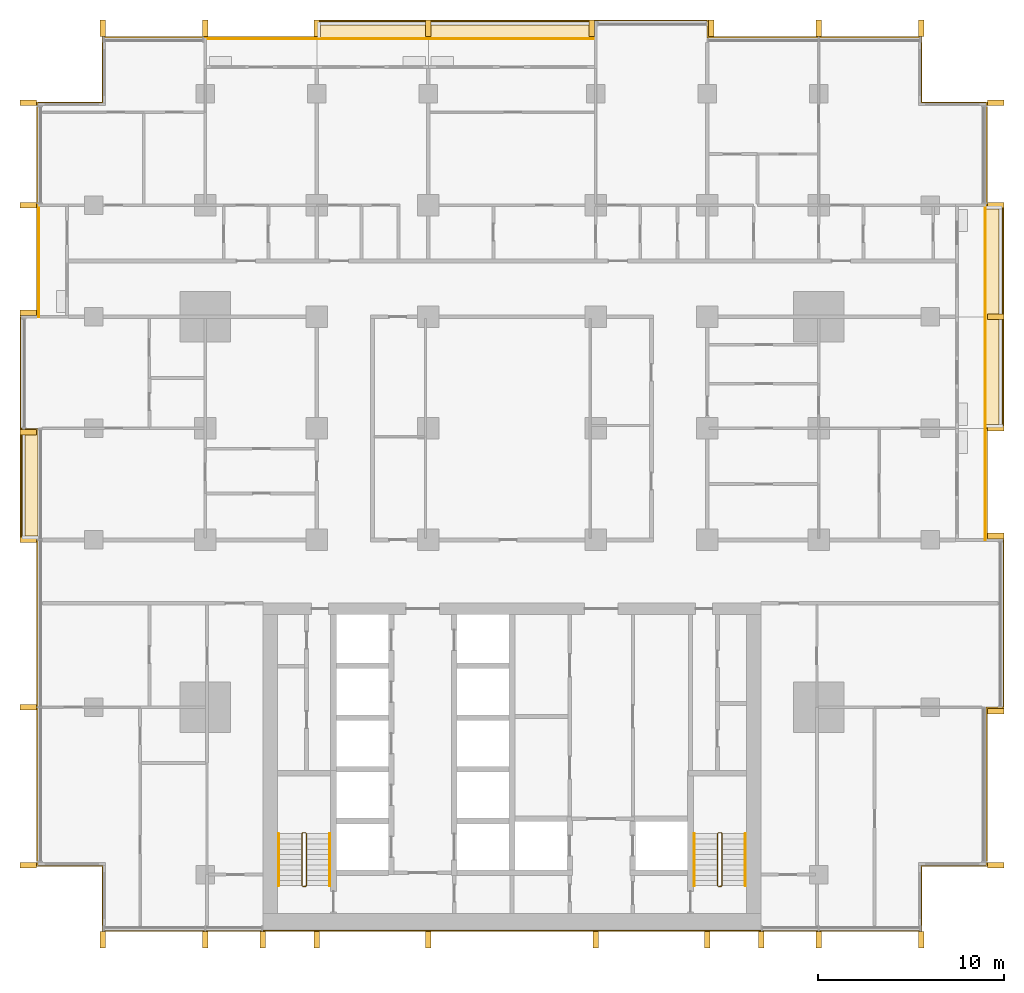
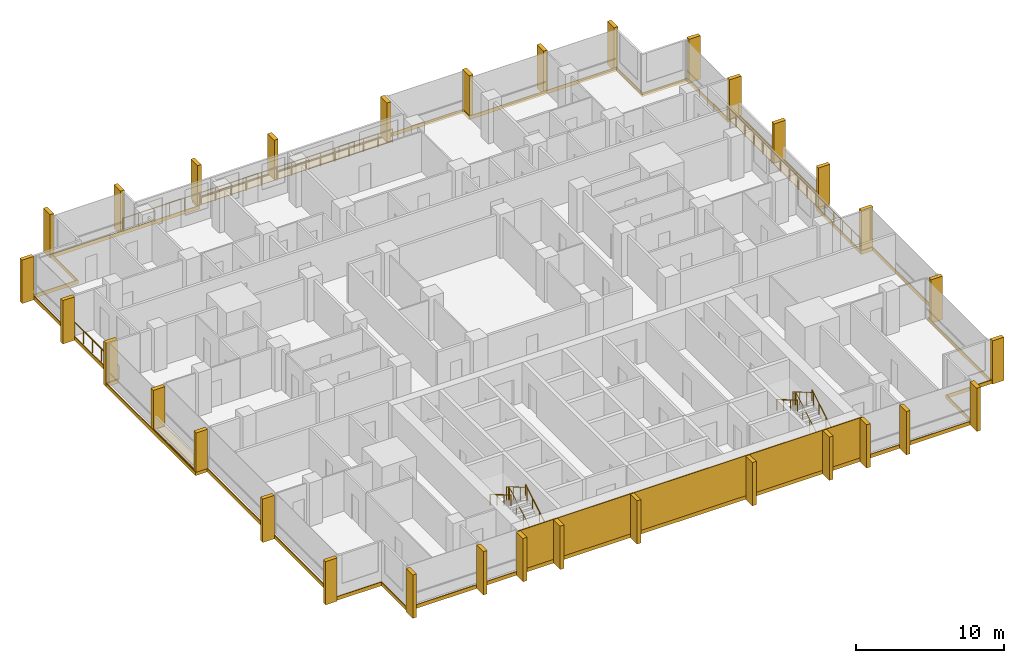
# One storey, part 18 of 18: 32 shading devices, 13 railings, 10 coverings.
"""IFC4 building model written with IfcOpenShell, lengths in metres."""

from ifc_helpers import new_model, si_unit, direction, frame, origin, origin_2d, place, context, subcontext, project, spatial, polyline, rectangle, circle, outline, extrude, material, layer, layer_set, type_object, element, save


model = new_model("IFC4")

# Units and contexts
model_context = context("Model", 3, precision=1e-05, world=origin(), true_north=direction((0.0, 1.0)))
body_context = subcontext(model_context, "Body", "Model", "MODEL_VIEW")
ifc_project = project(units=[si_unit("LENGTHUNIT", "METRE"), si_unit("AREAUNIT", "SQUARE_METRE"), si_unit("VOLUMEUNIT", "CUBIC_METRE"), si_unit("PLANEANGLEUNIT", "RADIAN"), si_unit("MASSUNIT", "GRAM", prefix="KILO")], contexts=[model_context])

# Site, building, storey
site_placement = place(None, origin())
site = spatial("IfcSite", under=ifc_project, at=site_placement, CompositionType="ELEMENT")
building_placement = place(site_placement, origin())
building = spatial("IfcBuilding", under=site, at=building_placement, Name="Finial Court Residences", CompositionType="ELEMENT")
storey_placement = place(building_placement, frame((0.0, 0.0, 109.89990234375)))
storey = spatial("IfcBuildingStorey", under=building, at=storey_placement, Name="L27", CompositionType="ELEMENT", Elevation=109.89990234375)

# Railings
ifc_material_1 = material(Name="Bronze anodised aluminium", Category="aluminium")
railing_type_1 = type_object("IfcRailingType", Name="Balcony guard 1100", PredefinedType="GUARDRAIL", material=ifc_material_1)
for number, where, name in (
    (1, (-16.5, 22.449951171875, 0.0), "E-L27-BALN2-R"),
    (2, (-10.5, 22.449951171875, 0.0), "E-L27-BALN3-R"),
):
    element("IfcRailing", number, at=place(storey_placement, frame(where)), inside=storey, type_object=railing_type_1, Name=name, PredefinedType="GUARDRAIL", context=body_context, shape_type="SweptSolid", body=[
        extrude(circle(Radius=0.02392578125, at=origin_2d()), frame((0.0, 0.0, 1.076171875), z_axis=(1.0, 0.0, 0.0), x_axis=(0.0, 1.0, 0.0)), (0.0, 0.0, 1.0), 6.0),
        extrude(circle(Radius=0.02099609375, at=origin_2d()), origin(), (0.0, 0.0, 1.0), 1.052001953125),
        extrude(circle(Radius=0.02099609375, at=origin_2d()), frame((1.199951171875, 0.0, 0.0)), (0.0, 0.0, 1.0), 1.052001953125),
        extrude(circle(Radius=0.02099609375, at=origin_2d()), frame((2.39990234375, 0.0, 0.0)), (0.0, 0.0, 1.0), 1.052001953125),
        extrude(circle(Radius=0.02099609375, at=origin_2d()), frame((3.60009765625, 0.0, 0.0)), (0.0, 0.0, 1.0), 1.052001953125),
        extrude(circle(Radius=0.02099609375, at=origin_2d()), frame((4.800048828125, 0.0, 0.0)), (0.0, 0.0, 1.0), 1.052001953125),
        extrude(circle(Radius=0.02099609375, at=origin_2d()), frame((6.0, 0.0, 0.0)), (0.0, 0.0, 1.0), 1.052001953125),
    ])
railing_1_placement = place(storey_placement, frame((-4.5, 22.449951171875, 0.0)))
element("IfcRailing", 3, at=railing_1_placement, inside=storey, type_object=railing_type_1, Name="E-L27-BALN4-R", PredefinedType="GUARDRAIL", context=body_context, shape_type="SweptSolid", body=[
    extrude(circle(Radius=0.02392578125, at=origin_2d()), frame((0.0, 0.0, 1.076171875), z_axis=(1.0, 0.0, 0.0), x_axis=(0.0, 1.0, 0.0)), (0.0, 0.0, 1.0), 9.0),
    extrude(circle(Radius=0.02099609375, at=origin_2d()), origin(), (0.0, 0.0, 1.0), 1.052001953125),
    extrude(circle(Radius=0.02099609375, at=origin_2d()), frame((1.125, 0.0, 0.0)), (0.0, 0.0, 1.0), 1.052001953125),
    extrude(circle(Radius=0.02099609375, at=origin_2d()), frame((2.25, 0.0, 0.0)), (0.0, 0.0, 1.0), 1.052001953125),
    extrude(circle(Radius=0.02099609375, at=origin_2d()), frame((3.375, 0.0, 0.0)), (0.0, 0.0, 1.0), 1.052001953125),
    extrude(circle(Radius=0.02099609375, at=origin_2d()), frame((4.5, 0.0, 0.0)), (0.0, 0.0, 1.0), 1.052001953125),
    extrude(circle(Radius=0.02099609375, at=origin_2d()), frame((5.625, 0.0, 0.0)), (0.0, 0.0, 1.0), 1.052001953125),
    extrude(circle(Radius=0.02099609375, at=origin_2d()), frame((6.75, 0.0, 0.0)), (0.0, 0.0, 1.0), 1.052001953125),
    extrude(circle(Radius=0.02099609375, at=origin_2d()), frame((7.875, 0.0, 0.0)), (0.0, 0.0, 1.0), 1.052001953125),
    extrude(circle(Radius=0.02099609375, at=origin_2d()), frame((9.0, 0.0, 0.0)), (0.0, 0.0, 1.0), 1.052001953125),
])
for number, where, name in (
    (4, (25.449951171875, -4.5, 0.0), "E-L27-BALE3-R"),
    (5, (25.449951171875, 1.5, 0.0), "E-L27-BALE4-R"),
    (6, (25.449951171875, 7.5, 0.0), "E-L27-BALE5-R"),
    (7, (-25.449951171875, 7.5, 0.0), "E-L27-BALW5-R"),
):
    element("IfcRailing", number, at=place(storey_placement, frame(where)), inside=storey, type_object=railing_type_1, Name=name, PredefinedType="GUARDRAIL", context=body_context, shape_type="SweptSolid", body=[
        extrude(circle(Radius=0.02392578125, at=origin_2d()), frame((0.0, 0.0, 1.076171875), z_axis=(0.0, 1.0, 0.0), x_axis=(-1.0, 0.0, 0.0)), (0.0, 0.0, 1.0), 6.0),
        extrude(circle(Radius=0.02099609375, at=origin_2d()), origin(), (0.0, 0.0, 1.0), 1.052001953125),
        extrude(circle(Radius=0.02099609375, at=origin_2d()), frame((0.0, 1.199951171875, 0.0)), (0.0, 0.0, 1.0), 1.052001953125),
        extrude(circle(Radius=0.02099609375, at=origin_2d()), frame((0.0, 2.39990234375, 0.0)), (0.0, 0.0, 1.0), 1.052001953125),
        extrude(circle(Radius=0.02099609375, at=origin_2d()), frame((0.0, 3.60009765625, 0.0)), (0.0, 0.0, 1.0), 1.052001953125),
        extrude(circle(Radius=0.02099609375, at=origin_2d()), frame((0.0, 4.800048828125, 0.0)), (0.0, 0.0, 1.0), 1.052001953125),
        extrude(circle(Radius=0.02099609375, at=origin_2d()), frame((0.0, 6.0, 0.0)), (0.0, 0.0, 1.0), 1.052001953125),
    ])

# Coverings
ifc_material_2 = material(Name="Natural limestone", Category="masonry")
ifc_layer_1 = layer(ifc_material_2, 0.06005859375)
ifc_layer_set_1 = layer_set([ifc_layer_1], Name="Limestone cladding to the blind core face 60")
covering_type_1 = type_object("IfcCoveringType", Name="Limestone cladding to the blind core face 60", PredefinedType="CLADDING", material=ifc_layer_set_1)
covering_1_placement = place(storey_placement, origin())
element("IfcCovering", 8, at=covering_1_placement, inside=storey, type_object=covering_type_1, Name="E-L27-CLAD1", PredefinedType="CLADDING", context=body_context, shape_type="SweptSolid", body=[
    extrude(outline(polyline([(-10.5, -25.56005859375), (-10.5, -25.5), (-13.39990234375, -25.5), (-13.39990234375, -25.56005859375), (-10.5, -25.56005859375)])), origin(), (0.0, 0.0, 1.0), 3.300048828125),
])
covering_2_placement = place(storey_placement, origin())
element("IfcCovering", 9, at=covering_2_placement, inside=storey, type_object=covering_type_1, Name="E-L27-CLAD2", PredefinedType="CLADDING", context=body_context, shape_type="SweptSolid", body=[
    extrude(outline(polyline([(-4.5, -25.56005859375), (-4.5, -25.5), (-10.5, -25.5), (-10.5, -25.56005859375), (-4.5, -25.56005859375)])), origin(), (0.0, 0.0, 1.0), 3.300048828125),
])
covering_3_placement = place(storey_placement, origin())
element("IfcCovering", 10, at=covering_3_placement, inside=storey, type_object=covering_type_1, Name="E-L27-CLAD3", PredefinedType="CLADDING", context=body_context, shape_type="SweptSolid", body=[
    extrude(outline(polyline([(4.5, -25.56005859375), (4.5, -25.5), (-4.5, -25.5), (-4.5, -25.56005859375), (4.5, -25.56005859375)])), origin(), (0.0, 0.0, 1.0), 3.300048828125),
])
covering_4_placement = place(storey_placement, origin())
element("IfcCovering", 11, at=covering_4_placement, inside=storey, type_object=covering_type_1, Name="E-L27-CLAD4", PredefinedType="CLADDING", context=body_context, shape_type="SweptSolid", body=[
    extrude(outline(polyline([(10.5, -25.56005859375), (10.5, -25.5), (4.5, -25.5), (4.5, -25.56005859375), (10.5, -25.56005859375)])), origin(), (0.0, 0.0, 1.0), 3.300048828125),
])
covering_5_placement = place(storey_placement, origin())
element("IfcCovering", 12, at=covering_5_placement, inside=storey, type_object=covering_type_1, Name="E-L27-CLAD5", PredefinedType="CLADDING", context=body_context, shape_type="SweptSolid", body=[
    extrude(outline(polyline([(13.39990234375, -25.56005859375), (13.39990234375, -25.5), (10.5, -25.5), (10.5, -25.56005859375), (13.39990234375, -25.56005859375)])), origin(), (0.0, 0.0, 1.0), 3.300048828125),
])

# Shading devices
shading_device_type = type_object("IfcShadingDeviceType", Name="Limestone fin 300 x 900", PredefinedType="USERDEFINED", material=ifc_material_2)
for number, where, z_axis, x_axis, name in (
    (13, (-22.0, 23.010009765625, -0.300048828125), (0.0, 0.0, 1.0), (1.0, 0.0, 0.0), "E-L27-FIN-N1"),
    (14, (-16.5, 23.010009765625, -0.300048828125), (0.0, 0.0, 1.0), (1.0, 0.0, 0.0), "E-L27-FIN-N2"),
):
    element("IfcShadingDevice", number, at=place(storey_placement, frame(where, z_axis=z_axis, x_axis=x_axis)), inside=storey, type_object=shading_device_type, Name=name, ObjectType="FIN", PredefinedType="USERDEFINED", context=body_context, shape_type="SweptSolid", body=[
        extrude(rectangle(XDim=0.300048828125, YDim=0.89990234375, at=origin_2d()), origin(), (0.0, 0.0, 1.0), 3.580078125),
    ])
for number, where, z_axis, x_axis, name in (
    (15, (-10.5, 23.010009765625, 0.0400390625), (0.0, 0.0, 1.0), (1.0, 0.0, 0.0), "E-L27-FIN-N3"),
    (16, (-4.5, 23.010009765625, 0.0400390625), (0.0, 0.0, 1.0), (1.0, 0.0, 0.0), "E-L27-FIN-N4"),
    (17, (4.2900390625, 23.010009765625, 0.0400390625), (0.0, 0.0, 1.0), (1.0, 0.0, 0.0), "E-L27-FIN-N5"),
):
    element("IfcShadingDevice", number, at=place(storey_placement, frame(where, z_axis=z_axis, x_axis=x_axis)), inside=storey, type_object=shading_device_type, Name=name, ObjectType="FIN", PredefinedType="USERDEFINED", context=body_context, shape_type="SweptSolid", body=[
        extrude(rectangle(XDim=0.300048828125, YDim=0.89990234375, at=origin_2d()), origin(), (0.0, 0.0, 1.0), 3.239990234375),
    ])
for number, where, z_axis, x_axis, name in (
    (18, (10.7099609375, 23.010009765625, -0.300048828125), (0.0, 0.0, 1.0), (1.0, 0.0, 0.0), "E-L27-FIN-N6"),
    (19, (16.5, 23.010009765625, -0.300048828125), (0.0, 0.0, 1.0), (1.0, 0.0, 0.0), "E-L27-FIN-N7"),
    (20, (22.0, 23.010009765625, -0.300048828125), (0.0, 0.0, 1.0), (1.0, 0.0, 0.0), "E-L27-FIN-N8"),
):
    element("IfcShadingDevice", number, at=place(storey_placement, frame(where, z_axis=z_axis, x_axis=x_axis)), inside=storey, type_object=shading_device_type, Name=name, ObjectType="FIN", PredefinedType="USERDEFINED", context=body_context, shape_type="SweptSolid", body=[
        extrude(rectangle(XDim=0.300048828125, YDim=0.89990234375, at=origin_2d()), origin(), (0.0, 0.0, 1.0), 3.580078125),
    ])
for number, where, z_axis, x_axis, name in (
    (21, (26.010009765625, -22.0, -0.300048828125), (0.0, 0.0, 1.0), (1.0, 0.0, 0.0), "E-L27-FIN-E9"),
    (22, (26.010009765625, -13.7099609375, -0.300048828125), (0.0, 0.0, 1.0), (1.0, 0.0, 0.0), "E-L27-FIN-E10"),
    (23, (26.010009765625, -4.2900390625, -0.300048828125), (0.0, 0.0, 1.0), (1.0, 0.0, 0.0), "E-L27-FIN-E11"),
):
    element("IfcShadingDevice", number, at=place(storey_placement, frame(where, z_axis=z_axis, x_axis=x_axis)), inside=storey, type_object=shading_device_type, Name=name, ObjectType="FIN", PredefinedType="USERDEFINED", context=body_context, shape_type="SweptSolid", body=[
        extrude(rectangle(XDim=0.89990234375, YDim=0.300048828125, at=origin_2d()), origin(), (0.0, 0.0, 1.0), 3.580078125),
    ])
for number, where, z_axis, x_axis, name in (
    (24, (26.010009765625, 1.5, 0.0400390625), (0.0, 0.0, 1.0), (1.0, 0.0, 0.0), "E-L27-FIN-E12"),
    (25, (26.010009765625, 7.5, 0.0400390625), (0.0, 0.0, 1.0), (1.0, 0.0, 0.0), "E-L27-FIN-E13"),
    (26, (26.010009765625, 13.5, 0.0400390625), (0.0, 0.0, 1.0), (1.0, 0.0, 0.0), "E-L27-FIN-E14"),
):
    element("IfcShadingDevice", number, at=place(storey_placement, frame(where, z_axis=z_axis, x_axis=x_axis)), inside=storey, type_object=shading_device_type, Name=name, ObjectType="FIN", PredefinedType="USERDEFINED", context=body_context, shape_type="SweptSolid", body=[
        extrude(rectangle(XDim=0.89990234375, YDim=0.300048828125, at=origin_2d()), origin(), (0.0, 0.0, 1.0), 3.239990234375),
    ])
shading_device_placement = place(storey_placement, frame((26.010009765625, 19.0, -0.300048828125), z_axis=(0.0, 0.0, 1.0), x_axis=(1.0, 0.0, 0.0)))
element("IfcShadingDevice", 27, at=shading_device_placement, inside=storey, type_object=shading_device_type, Name="E-L27-FIN-E15", ObjectType="FIN", PredefinedType="USERDEFINED", context=body_context, shape_type="SweptSolid", body=[
    extrude(rectangle(XDim=0.89990234375, YDim=0.300048828125, at=origin_2d()), origin(), (0.0, 0.0, 1.0), 3.580078125),
])
for number, where, z_axis, x_axis, name in (
    (28, (-22.0, -26.010009765625, -0.300048828125), (0.0, 0.0, 1.0), (1.0, 0.0, 0.0), "E-L27-FIN-S16"),
    (29, (-16.5, -26.010009765625, -0.300048828125), (0.0, 0.0, 1.0), (1.0, 0.0, 0.0), "E-L27-FIN-S17"),
    (30, (-13.39990234375, -26.010009765625, -0.300048828125), (0.0, 0.0, 1.0), (1.0, 0.0, 0.0), "E-L27-FIN-S18"),
    (31, (-10.5, -26.010009765625, -0.300048828125), (0.0, 0.0, 1.0), (1.0, 0.0, 0.0), "E-L27-FIN-S19"),
    (32, (-4.5, -26.010009765625, -0.300048828125), (0.0, 0.0, 1.0), (1.0, 0.0, 0.0), "E-L27-FIN-S20"),
    (33, (4.5, -26.010009765625, -0.300048828125), (0.0, 0.0, 1.0), (1.0, 0.0, 0.0), "E-L27-FIN-S21"),
    (34, (10.5, -26.010009765625, -0.300048828125), (0.0, 0.0, 1.0), (1.0, 0.0, 0.0), "E-L27-FIN-S22"),
    (35, (13.39990234375, -26.010009765625, -0.300048828125), (0.0, 0.0, 1.0), (1.0, 0.0, 0.0), "E-L27-FIN-S23"),
    (36, (16.5, -26.010009765625, -0.300048828125), (0.0, 0.0, 1.0), (1.0, 0.0, 0.0), "E-L27-FIN-S24"),
    (37, (22.0, -26.010009765625, -0.300048828125), (0.0, 0.0, 1.0), (1.0, 0.0, 0.0), "E-L27-FIN-S25"),
):
    element("IfcShadingDevice", number, at=place(storey_placement, frame(where, z_axis=z_axis, x_axis=x_axis)), inside=storey, type_object=shading_device_type, Name=name, ObjectType="FIN", PredefinedType="USERDEFINED", context=body_context, shape_type="SweptSolid", body=[
        extrude(rectangle(XDim=0.300048828125, YDim=0.89990234375, at=origin_2d()), origin(), (0.0, 0.0, 1.0), 3.580078125),
    ])
for number, where, z_axis, x_axis, name in (
    (38, (-26.010009765625, -22.0, -0.300048828125), (0.0, 0.0, 1.0), (1.0, 0.0, 0.0), "E-L27-FIN-W26"),
    (39, (-26.010009765625, -13.5, -0.300048828125), (0.0, 0.0, 1.0), (1.0, 0.0, 0.0), "E-L27-FIN-W27"),
):
    element("IfcShadingDevice", number, at=place(storey_placement, frame(where, z_axis=z_axis, x_axis=x_axis)), inside=storey, type_object=shading_device_type, Name=name, ObjectType="FIN", PredefinedType="USERDEFINED", context=body_context, shape_type="SweptSolid", body=[
        extrude(rectangle(XDim=0.89990234375, YDim=0.300048828125, at=origin_2d()), origin(), (0.0, 0.0, 1.0), 3.580078125),
    ])
for number, where, z_axis, x_axis, name in (
    (40, (-26.010009765625, -4.5, 0.0400390625), (0.0, 0.0, 1.0), (1.0, 0.0, 0.0), "E-L27-FIN-W28"),
    (41, (-26.010009765625, 1.2900390625, 0.0400390625), (0.0, 0.0, 1.0), (1.0, 0.0, 0.0), "E-L27-FIN-W29"),
):
    element("IfcShadingDevice", number, at=place(storey_placement, frame(where, z_axis=z_axis, x_axis=x_axis)), inside=storey, type_object=shading_device_type, Name=name, ObjectType="FIN", PredefinedType="USERDEFINED", context=body_context, shape_type="SweptSolid", body=[
        extrude(rectangle(XDim=0.89990234375, YDim=0.300048828125, at=origin_2d()), origin(), (0.0, 0.0, 1.0), 3.239990234375),
    ])
for number, where, z_axis, x_axis, name in (
    (42, (-26.010009765625, 7.7099609375, -0.300048828125), (0.0, 0.0, 1.0), (1.0, 0.0, 0.0), "E-L27-FIN-W30"),
    (43, (-26.010009765625, 13.5, -0.300048828125), (0.0, 0.0, 1.0), (1.0, 0.0, 0.0), "E-L27-FIN-W31"),
    (44, (-26.010009765625, 19.0, -0.300048828125), (0.0, 0.0, 1.0), (1.0, 0.0, 0.0), "E-L27-FIN-W32"),
):
    element("IfcShadingDevice", number, at=place(storey_placement, frame(where, z_axis=z_axis, x_axis=x_axis)), inside=storey, type_object=shading_device_type, Name=name, ObjectType="FIN", PredefinedType="USERDEFINED", context=body_context, shape_type="SweptSolid", body=[
        extrude(rectangle(XDim=0.89990234375, YDim=0.300048828125, at=origin_2d()), origin(), (0.0, 0.0, 1.0), 3.580078125),
    ])

# Coverings
ifc_material_3 = material(Name="Pale limestone", Category="masonry")
ifc_layer_2 = layer(ifc_material_3, 0.06005859375)
ifc_layer_set_2 = layer_set([ifc_layer_2], Name="Pale limestone slab-edge band 60")
covering_type_2 = type_object("IfcCoveringType", Name="Pale limestone slab-edge band 60", PredefinedType="CLADDING", material=ifc_layer_set_2)
covering_6_placement = place(storey_placement, frame((0.0, 0.0, -0.2998046875)))
element("IfcCovering", 45, at=covering_6_placement, inside=storey, type_object=covering_type_2, Name="E-L27-BAND1", PredefinedType="CLADDING", context=body_context, shape_type="SweptSolid", body=[
    extrude(outline(polyline([(-25.56005859375, 7.56005859375), (-25.56005859375, 19.06005859375), (-22.06005859375, 19.06005859375), (-22.06005859375, 22.56005859375), (-10.56005859375, 22.56005859375), (-10.56005859375, 23.4599609375), (10.56005859375, 23.4599609375), (10.56005859375, 22.56005859375), (22.06005859375, 22.56005859375), (22.06005859375, 19.06005859375), (25.56005859375, 19.06005859375), (25.56005859375, 13.56005859375), (26.4599609375, 13.56005859375), (26.4599609375, 1.43994140625), (25.56005859375, 1.43994140625), (25.56005859375, -4.43994140625), (26.4599609375, -4.43994140625), (26.4599609375, -13.56005859375), (25.56005859375, -13.56005859375), (25.56005859375, -22.06005859375), (22.06005859375, -22.06005859375), (22.06005859375, -25.56005859375), (-22.06005859375, -25.56005859375), (-22.06005859375, -22.06005859375), (-25.56005859375, -22.06005859375), (-25.56005859375, -4.56005859375), (-26.4599609375, -4.56005859375), (-26.4599609375, 7.56005859375), (-25.56005859375, 7.56005859375)]), holes=[polyline([(-26.39990234375, 1.5), (-26.39990234375, -4.5), (-25.5, -4.5), (-25.5, -22.0), (-22.0, -22.0), (-22.0, -25.5), (22.0, -25.5), (22.0, -22.0), (25.5, -22.0), (25.5, -13.5), (26.39990234375, -13.5), (26.39990234375, -4.5), (25.5, -4.5), (25.5, 1.5), (26.39990234375, 1.5), (26.39990234375, 7.5), (26.39990234375, 13.5), (25.5, 13.5), (25.5, 19.0), (22.0, 19.0), (22.0, 22.5), (10.5, 22.5), (10.5, 23.39990234375), (4.5, 23.39990234375), (-4.5, 23.39990234375), (-10.5, 23.39990234375), (-10.5, 22.5), (-16.5, 22.5), (-22.0, 22.5), (-22.0, 19.0), (-25.5, 19.0), (-25.5, 13.5), (-25.5, 7.5), (-26.39990234375, 7.5), (-26.39990234375, 1.5)])]), origin(), (0.0, 0.0, 1.0), 0.2998046875),
])
ifc_material_4 = material(Name="Bitumen membrane")
ifc_layer_3 = layer(ifc_material_4, 0.0400390625)
ifc_layer_set_3 = layer_set([ifc_layer_3], Name="Push box roofing, bitumen membrane 40")
covering_type_3 = type_object("IfcCoveringType", Name="Push box roofing, bitumen membrane 40", PredefinedType="ROOFING", material=ifc_layer_set_3)
covering_7_placement = place(storey_placement, origin())
element("IfcCovering", 46, at=covering_7_placement, inside=storey, type_object=covering_type_3, Name="E-L27-LED1", PredefinedType="ROOFING", context=body_context, shape_type="SweptSolid", body=[
    extrude(outline(polyline([(4.5, 23.39990234375), (4.5, 22.5), (-4.5, 22.5), (-10.5, 22.5), (-10.5, 23.39990234375), (-4.5, 23.39990234375), (4.5, 23.39990234375)]), holes=[polyline([(-10.449951171875, 23.35009765625), (-10.449951171875, 22.510009765625), (-10.300048828125, 22.510009765625), (-10.300048828125, 23.199951171875), (-4.5, 23.199951171875), (4.489990234375, 23.199951171875), (4.489990234375, 23.35009765625), (-4.5, 23.35009765625), (-10.300048828125, 23.35009765625), (-10.300048828125, 23.35009765625), (-10.449951171875, 23.35009765625)])]), origin(), (0.0, 0.0, 1.0), 0.0400390625),
])
covering_8_placement = place(storey_placement, origin())
element("IfcCovering", 47, at=covering_8_placement, inside=storey, type_object=covering_type_3, Name="E-L27-LED2b", PredefinedType="ROOFING", context=body_context, shape_type="SweptSolid", body=[
    extrude(outline(polyline([(25.5, 1.5), (25.5, 7.5), (25.5, 13.5), (26.39990234375, 13.5), (26.39990234375, 7.5), (26.39990234375, 1.699951171875), (26.35009765625, 1.699951171875), (26.35009765625, 13.300048828125), (26.35009765625, 13.300048828125), (26.35009765625, 13.449951171875), (25.510009765625, 13.449951171875), (25.510009765625, 13.300048828125), (26.199951171875, 13.300048828125), (26.199951171875, 1.699951171875), (25.510009765625, 1.699951171875), (25.510009765625, 1.550048828125), (26.199951171875, 1.550048828125), (26.199951171875, 1.5), (25.5, 1.5)])), origin(), (0.0, 0.0, 1.0), 0.0400390625),
])
covering_9_placement = place(storey_placement, origin())
element("IfcCovering", 48, at=covering_9_placement, inside=storey, type_object=covering_type_3, Name="E-L27-LED3", PredefinedType="ROOFING", context=body_context, shape_type="SweptSolid", body=[
    extrude(outline(polyline([(-25.5, -4.300048828125), (-26.199951171875, -4.300048828125), (-26.199951171875, 1.5), (-25.5, 1.5), (-25.5, -4.300048828125)])), origin(), (0.0, 0.0, 1.0), 0.0400390625),
])
covering_10_placement = place(storey_placement, origin())
element("IfcCovering", 49, at=covering_10_placement, inside=storey, type_object=covering_type_3, Name="E-L27-LED3b", PredefinedType="ROOFING", context=body_context, shape_type="SweptSolid", body=[
    extrude(outline(polyline([(-25.5, -4.5), (-26.39990234375, -4.5), (-26.39990234375, 1.5), (-26.35009765625, 1.5), (-26.35009765625, -4.300048828125), (-26.35009765625, -4.300048828125), (-26.35009765625, -4.449951171875), (-25.5, -4.449951171875), (-25.5, -4.5)])), origin(), (0.0, 0.0, 1.0), 0.0400390625),
])

# Railings
ifc_material_5 = material(Name="Stainless steel railing", Category="steel")
railing_type_2 = type_object("IfcRailingType", Name="Stair guard 1100", PredefinedType="GUARDRAIL", material=ifc_material_5)
railing_2_placement = place(storey_placement, frame((-11.10009765625, -23.14990234375, 0.0)))
element("IfcRailing", 50, at=railing_2_placement, inside=storey, type_object=railing_type_2, Name="L27 ST-1 stair guard 1", PredefinedType="GUARDRAIL", context=body_context, shape_type="SweptSolid", body=[
    extrude(circle(Radius=0.02392578125, at=origin_2d()), frame((0.0, 0.0, 1.076171875), z_axis=(-1.0, 0.0, 0.0), x_axis=(0.0, -1.0, 0.0)), (0.0, 0.0, 1.0), 0.14990234375),
    extrude(circle(Radius=0.02392578125, at=origin_2d()), frame((-0.14990234375, 0.0, 1.076171875), z_axis=(0.759565762229, 0.189195867515, 0.622306015208), x_axis=(-0.241699205484, 0.970351222016, 0.0)), (0.0, 0.0, 1.0), 0.26318359375),
    extrude(circle(Radius=0.02392578125, at=origin_2d()), frame((0.050048828125, 0.0498046875, 1.23974609375), z_axis=(0.0, 0.863393664356, 0.504530851732), x_axis=(-1.0, 0.0, 0.0)), (0.0, 0.0, 1.0), 3.2431640625),
    extrude(circle(Radius=0.02392578125, at=origin_2d()), frame((0.050048828125, 2.849853515625, 2.8759765625), z_axis=(-0.707106781187, 0.707106781187, 0.0), x_axis=(-0.707106781187, -0.707106781187, 0.0)), (0.0, 0.0, 1.0), 0.07080078125),
    extrude(circle(Radius=0.02392578125, at=origin_2d()), frame((0.0, 2.89990234375, 2.8759765625), z_axis=(-1.0, 0.0, 0.0), x_axis=(0.0, -1.0, 0.0)), (0.0, 0.0, 1.0), 0.14990234375),
    extrude(circle(Radius=0.02392578125, at=origin_2d()), frame((-0.14990234375, 2.89990234375, 2.8759765625), z_axis=(-0.280808744504, -0.280808744504, 0.917765164963), x_axis=(0.707106781187, -0.707106781187, 0.0)), (0.0, 0.0, 1.0), 0.17822265625),
    extrude(circle(Radius=0.02392578125, at=origin_2d()), frame((-0.199951171875, 2.849853515625, 3.03955078125), z_axis=(0.0, -0.863360870873, 0.504586966384), x_axis=(1.0, 0.0, 0.0)), (0.0, 0.0, 1.0), 3.2431640625),
    extrude(circle(Radius=0.02099609375, at=origin_2d()), origin(), (0.0, 0.0, 1.0), 1.052001953125),
    extrude(circle(Radius=0.02099609375, at=origin_2d()), frame((-0.14990234375, 0.0, 0.0)), (0.0, 0.0, 1.0), 1.052001953125),
    extrude(circle(Radius=0.02099609375, at=origin_2d()), frame((0.050048828125, 0.0498046875, 0.163818359375)), (0.0, 0.0, 1.0), 1.052001953125),
    extrude(circle(Radius=0.02099609375, at=origin_2d()), frame((0.050048828125, 0.983154296875, 0.709228515625)), (0.0, 0.0, 1.0), 1.052001953125),
    extrude(circle(Radius=0.02099609375, at=origin_2d()), frame((0.050048828125, 1.91650390625, 1.254638671875)), (0.0, 0.0, 1.0), 1.052001953125),
    extrude(circle(Radius=0.02099609375, at=origin_2d()), frame((0.050048828125, 2.849853515625, 1.800048828125)), (0.0, 0.0, 1.0), 1.052001953125),
    extrude(circle(Radius=0.02099609375, at=origin_2d()), frame((0.0, 2.89990234375, 1.800048828125)), (0.0, 0.0, 1.0), 1.052001953125),
    extrude(circle(Radius=0.02099609375, at=origin_2d()), frame((-0.14990234375, 2.89990234375, 1.800048828125)), (0.0, 0.0, 1.0), 1.052001953125),
    extrude(circle(Radius=0.02099609375, at=origin_2d()), frame((-0.199951171875, 2.849853515625, 1.963623046875)), (0.0, 0.0, 1.0), 1.052001953125),
    extrude(circle(Radius=0.02099609375, at=origin_2d()), frame((-0.199951171875, 1.91650390625, 2.509033203125)), (0.0, 0.0, 1.0), 1.052001953125),
    extrude(circle(Radius=0.02099609375, at=origin_2d()), frame((-0.199951171875, 0.983154296875, 3.0546875)), (0.0, 0.0, 1.0), 1.052001953125),
    extrude(circle(Radius=0.02099609375, at=origin_2d()), frame((-0.199951171875, 0.0498046875, 3.60009765625)), (0.0, 0.0, 1.0), 1.052001953125),
])
railing_3_placement = place(storey_placement, frame((11.25, -23.14990234375, 0.0)))
element("IfcRailing", 51, at=railing_3_placement, inside=storey, type_object=railing_type_2, Name="L27 ST-2 stair guard 1", PredefinedType="GUARDRAIL", context=body_context, shape_type="SweptSolid", body=[
    extrude(circle(Radius=0.02392578125, at=origin_2d()), frame((0.0, 0.0, 1.076171875), z_axis=(-1.0, 0.0, 0.0), x_axis=(0.0, -1.0, 0.0)), (0.0, 0.0, 1.0), 0.14990234375),
    extrude(circle(Radius=0.02392578125, at=origin_2d()), frame((-0.14990234375, 0.0, 1.076171875), z_axis=(0.759565762229, 0.189195867515, 0.622306015208), x_axis=(-0.241699205484, 0.970351222016, 0.0)), (0.0, 0.0, 1.0), 0.26318359375),
    extrude(circle(Radius=0.02392578125, at=origin_2d()), frame((0.050048828125, 0.0498046875, 1.23974609375), z_axis=(0.0, 0.863393664356, 0.504530851732), x_axis=(-1.0, 0.0, 0.0)), (0.0, 0.0, 1.0), 3.2431640625),
    extrude(circle(Radius=0.02392578125, at=origin_2d()), frame((0.050048828125, 2.849853515625, 2.8759765625), z_axis=(-0.707106781187, 0.707106781187, 0.0), x_axis=(-0.707106781187, -0.707106781187, 0.0)), (0.0, 0.0, 1.0), 0.07080078125),
    extrude(circle(Radius=0.02392578125, at=origin_2d()), frame((0.0, 2.89990234375, 2.8759765625), z_axis=(-1.0, 0.0, 0.0), x_axis=(0.0, -1.0, 0.0)), (0.0, 0.0, 1.0), 0.14990234375),
    extrude(circle(Radius=0.02392578125, at=origin_2d()), frame((-0.14990234375, 2.89990234375, 2.8759765625), z_axis=(-0.280808744504, -0.280808744504, 0.917765164963), x_axis=(0.707106781187, -0.707106781187, 0.0)), (0.0, 0.0, 1.0), 0.17822265625),
    extrude(circle(Radius=0.02392578125, at=origin_2d()), frame((-0.199951171875, 2.849853515625, 3.03955078125), z_axis=(0.0, -0.863360870873, 0.504586966384), x_axis=(1.0, 0.0, 0.0)), (0.0, 0.0, 1.0), 3.2431640625),
    extrude(circle(Radius=0.02099609375, at=origin_2d()), origin(), (0.0, 0.0, 1.0), 1.052001953125),
    extrude(circle(Radius=0.02099609375, at=origin_2d()), frame((-0.14990234375, 0.0, 0.0)), (0.0, 0.0, 1.0), 1.052001953125),
    extrude(circle(Radius=0.02099609375, at=origin_2d()), frame((0.050048828125, 0.0498046875, 0.163818359375)), (0.0, 0.0, 1.0), 1.052001953125),
    extrude(circle(Radius=0.02099609375, at=origin_2d()), frame((0.050048828125, 0.983154296875, 0.709228515625)), (0.0, 0.0, 1.0), 1.052001953125),
    extrude(circle(Radius=0.02099609375, at=origin_2d()), frame((0.050048828125, 1.91650390625, 1.254638671875)), (0.0, 0.0, 1.0), 1.052001953125),
    extrude(circle(Radius=0.02099609375, at=origin_2d()), frame((0.050048828125, 2.849853515625, 1.800048828125)), (0.0, 0.0, 1.0), 1.052001953125),
    extrude(circle(Radius=0.02099609375, at=origin_2d()), frame((0.0, 2.89990234375, 1.800048828125)), (0.0, 0.0, 1.0), 1.052001953125),
    extrude(circle(Radius=0.02099609375, at=origin_2d()), frame((-0.14990234375, 2.89990234375, 1.800048828125)), (0.0, 0.0, 1.0), 1.052001953125),
    extrude(circle(Radius=0.02099609375, at=origin_2d()), frame((-0.199951171875, 2.849853515625, 1.963623046875)), (0.0, 0.0, 1.0), 1.052001953125),
    extrude(circle(Radius=0.02099609375, at=origin_2d()), frame((-0.199951171875, 1.91650390625, 2.509033203125)), (0.0, 0.0, 1.0), 1.052001953125),
    extrude(circle(Radius=0.02099609375, at=origin_2d()), frame((-0.199951171875, 0.983154296875, 3.0546875)), (0.0, 0.0, 1.0), 1.052001953125),
    extrude(circle(Radius=0.02099609375, at=origin_2d()), frame((-0.199951171875, 0.0498046875, 3.60009765625)), (0.0, 0.0, 1.0), 1.052001953125),
])
railing_type_3 = type_object("IfcRailingType", Name="Stair handrail 900", PredefinedType="HANDRAIL", material=ifc_material_5)
railing_4_placement = place(storey_placement, frame((-9.800048828125, -23.10009765625, 0.163818359375)))
element("IfcRailing", 52, at=railing_4_placement, inside=storey, type_object=railing_type_3, Name="L27 ST-1 stair handrail 1", PredefinedType="HANDRAIL", context=body_context, shape_type="SweptSolid", body=[
    extrude(circle(Radius=0.02392578125, at=origin_2d()), frame((0.0, 0.0, 0.8759765625), z_axis=(0.0, 0.863393664356, 0.504530851732), x_axis=(-1.0, 0.0, 0.0)), (0.0, 0.0, 1.0), 3.2431640625),
    extrude(circle(Radius=0.02099609375, at=origin_2d()), origin(), (0.0, 0.0, 1.0), 0.851806640625),
    extrude(circle(Radius=0.02099609375, at=origin_2d()), frame((0.0, 0.933349609375, 0.54541015625)), (0.0, 0.0, 1.0), 0.851806640625),
    extrude(circle(Radius=0.02099609375, at=origin_2d()), frame((0.0, 1.86669921875, 1.0908203125)), (0.0, 0.0, 1.0), 0.851806640625),
    extrude(circle(Radius=0.02099609375, at=origin_2d()), frame((0.0, 2.800048828125, 1.63623046875)), (0.0, 0.0, 1.0), 0.851806640625),
])
railing_5_placement = place(storey_placement, frame((-12.550048828125, -20.300048828125, 1.963623046875)))
element("IfcRailing", 53, at=railing_5_placement, inside=storey, type_object=railing_type_3, Name="L27 ST-1 stair handrail 2", PredefinedType="HANDRAIL", context=body_context, shape_type="SweptSolid", body=[
    extrude(circle(Radius=0.02392578125, at=origin_2d()), frame((0.0, 0.0, 0.8759765625), z_axis=(0.0, -0.863360870873, 0.504586966384), x_axis=(1.0, 0.0, 0.0)), (0.0, 0.0, 1.0), 3.2431640625),
    extrude(circle(Radius=0.02099609375, at=origin_2d()), origin(), (0.0, 0.0, 1.0), 0.851806640625),
    extrude(circle(Radius=0.02099609375, at=origin_2d()), frame((0.0, -0.933349609375, 0.54541015625)), (0.0, 0.0, 1.0), 0.851806640625),
    extrude(circle(Radius=0.02099609375, at=origin_2d()), frame((0.0, -1.86669921875, 1.091064453125)), (0.0, 0.0, 1.0), 0.851806640625),
    extrude(circle(Radius=0.02099609375, at=origin_2d()), frame((0.0, -2.800048828125, 1.636474609375)), (0.0, 0.0, 1.0), 0.851806640625),
])
railing_6_placement = place(storey_placement, frame((12.550048828125, -23.10009765625, 0.163818359375)))
element("IfcRailing", 54, at=railing_6_placement, inside=storey, type_object=railing_type_3, Name="L27 ST-2 stair handrail 1", PredefinedType="HANDRAIL", context=body_context, shape_type="SweptSolid", body=[
    extrude(circle(Radius=0.02392578125, at=origin_2d()), frame((0.0, 0.0, 0.8759765625), z_axis=(0.0, 0.863393664356, 0.504530851732), x_axis=(-1.0, 0.0, 0.0)), (0.0, 0.0, 1.0), 3.2431640625),
    extrude(circle(Radius=0.02099609375, at=origin_2d()), origin(), (0.0, 0.0, 1.0), 0.851806640625),
    extrude(circle(Radius=0.02099609375, at=origin_2d()), frame((0.0, 0.933349609375, 0.54541015625)), (0.0, 0.0, 1.0), 0.851806640625),
    extrude(circle(Radius=0.02099609375, at=origin_2d()), frame((0.0, 1.86669921875, 1.0908203125)), (0.0, 0.0, 1.0), 0.851806640625),
    extrude(circle(Radius=0.02099609375, at=origin_2d()), frame((0.0, 2.800048828125, 1.63623046875)), (0.0, 0.0, 1.0), 0.851806640625),
])
railing_7_placement = place(storey_placement, frame((9.800048828125, -20.300048828125, 1.963623046875)))
element("IfcRailing", 55, at=railing_7_placement, inside=storey, type_object=railing_type_3, Name="L27 ST-2 stair handrail 2", PredefinedType="HANDRAIL", context=body_context, shape_type="SweptSolid", body=[
    extrude(circle(Radius=0.02392578125, at=origin_2d()), frame((0.0, 0.0, 0.8759765625), z_axis=(0.0, -0.863360870873, 0.504586966384), x_axis=(1.0, 0.0, 0.0)), (0.0, 0.0, 1.0), 3.2431640625),
    extrude(circle(Radius=0.02099609375, at=origin_2d()), origin(), (0.0, 0.0, 1.0), 0.851806640625),
    extrude(circle(Radius=0.02099609375, at=origin_2d()), frame((0.0, -0.933349609375, 0.54541015625)), (0.0, 0.0, 1.0), 0.851806640625),
    extrude(circle(Radius=0.02099609375, at=origin_2d()), frame((0.0, -1.86669921875, 1.091064453125)), (0.0, 0.0, 1.0), 0.851806640625),
    extrude(circle(Radius=0.02099609375, at=origin_2d()), frame((0.0, -2.800048828125, 1.636474609375)), (0.0, 0.0, 1.0), 0.851806640625),
])

save(model, "model.ifc")
